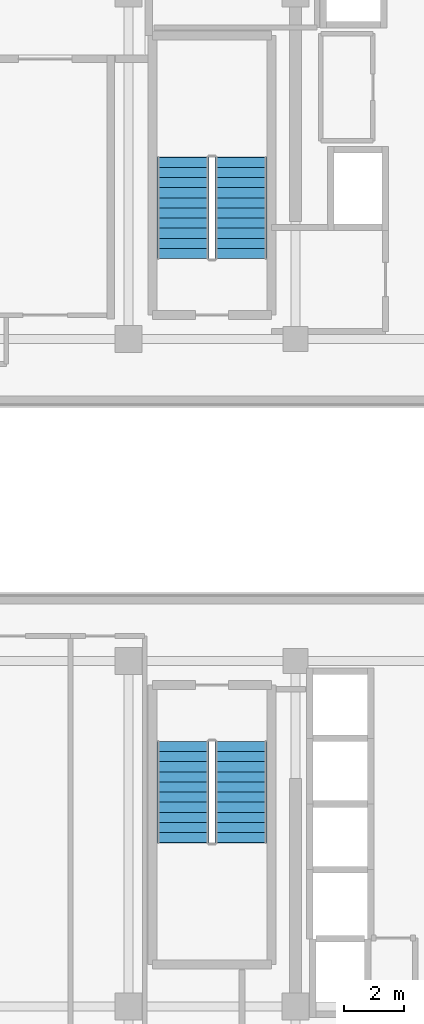
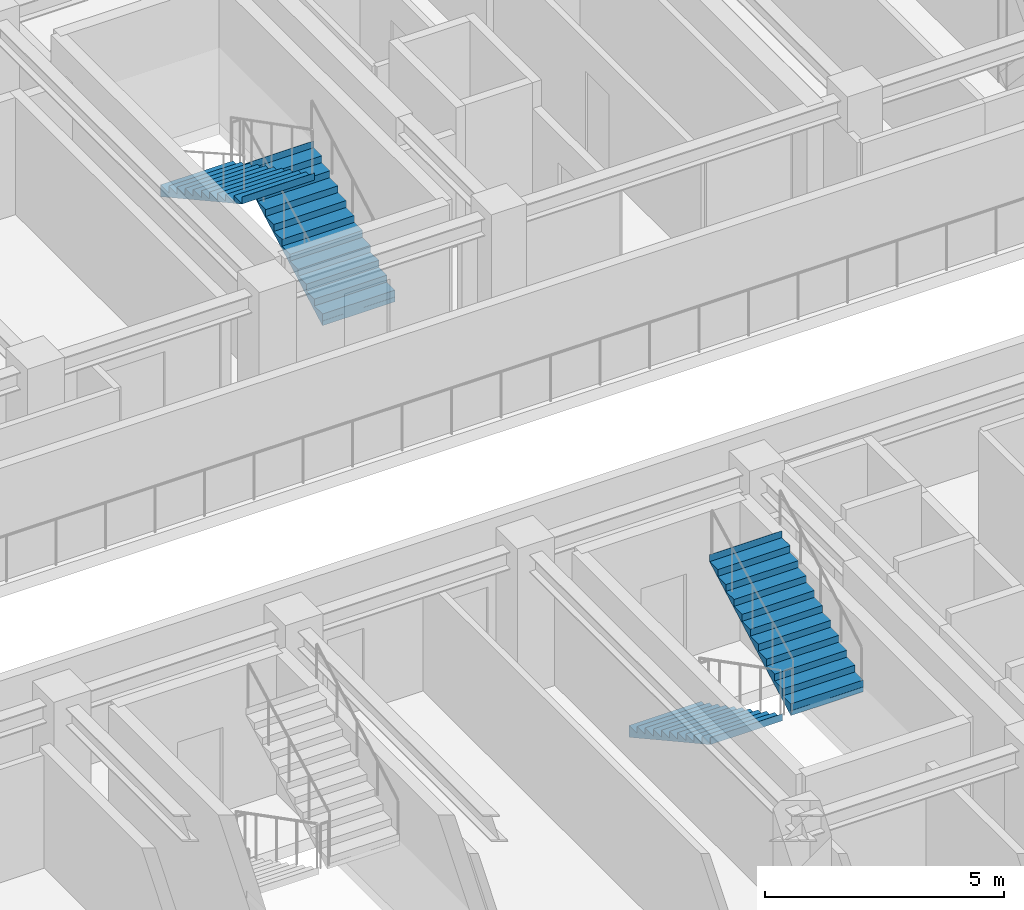
# One storey, part 8 of 14: 4 stair flights, 2 elements without a shape of their own.
"""IFC4 building model written with IfcOpenShell, lengths in metres."""

from ifc_helpers import new_model, si_unit, direction, frame, origin, place, context, subcontext, project, spatial, polyline, outline, extrude, source, transform, mapped, material, layer, layer_set, type_object, element, aggregate, save


model = new_model("IFC4")

# Units and contexts
model_context = context("Model", 3, precision=1e-05, world=origin(), true_north=direction((0.0, 1.0)))
body_context = subcontext(model_context, "Body", "Model", "MODEL_VIEW")
ifc_project = project(units=[si_unit("LENGTHUNIT", "METRE"), si_unit("AREAUNIT", "SQUARE_METRE"), si_unit("VOLUMEUNIT", "CUBIC_METRE"), si_unit("PLANEANGLEUNIT", "RADIAN"), si_unit("MASSUNIT", "GRAM", prefix="KILO")], contexts=[model_context])

# Site, building, storey
site_placement = place(None, origin())
site = spatial("IfcSite", under=ifc_project, at=site_placement, CompositionType="ELEMENT")
building_placement = place(site_placement, origin())
building = spatial("IfcBuilding", under=site, at=building_placement, Name="Nahalor Promenade Grand Hotel", CompositionType="ELEMENT")
storey_placement = place(building_placement, frame((0.0, 0.0, 296.5)))
storey = spatial("IfcBuildingStorey", under=building, at=storey_placement, Name="L76", CompositionType="ELEMENT", Elevation=296.5)

# Stair, stair flights
ifc_material = material(Name="Concrete B-50 (C40/50)", Category="concrete")
stair_type_1 = type_object("IfcStairType", Name="Stair-ST1", PredefinedType="HALF_TURN_STAIR", material=ifc_material)
stair_1_placement = place(storey_placement, origin())
stair_1 = element("IfcStair", 1, at=stair_1_placement, inside=storey, type_object=stair_type_1, Name="L76 ST1", PredefinedType="HALF_TURN_STAIR")
ifc_layer_1 = layer(ifc_material, 0.179931640625)
ifc_layer_set_1 = layer_set([ifc_layer_1], Name="Concrete B-50 (C40/50)")
stair_flight_type_1 = type_object("IfcStairFlightType", Name="Flight-ST1", PredefinedType="STRAIGHT", material=ifc_layer_set_1)
shared_shape_1 = source(origin(), body_context, "Body", "SweptSolid", [
    extrude(outline(polyline([(-0.00390625, -0.1201171875), (-0.00390625, 0.0), (0.0, 0.0), (0.0, 0.175048828125), (0.340087890625, 0.175048828125), (0.340087890625, 0.35009765625), (0.679931640625, 0.35009765625), (0.679931640625, 0.52490234375), (1.02001953125, 0.52490234375), (1.02001953125, 0.699951171875), (1.360107421875, 0.699951171875), (1.360107421875, 0.875), (1.699951171875, 0.875), (1.699951171875, 1.050048828125), (2.0400390625, 1.050048828125), (2.0400390625, 1.22509765625), (2.3798828125, 1.22509765625), (2.3798828125, 1.39990234375), (2.719970703125, 1.39990234375), (2.719970703125, 1.574951171875), (3.06005859375, 1.574951171875), (3.06005859375, 1.75), (3.39990234375, 1.75), (3.39990234375, 1.925048828125), (3.404052734375, 1.925048828125), (3.404052734375, 1.7451171875), (0.02001953125, -0.1201171875), (-0.00390625, -0.1201171875)])), frame((0.0, 0.875, 0.0), z_axis=(0.0, -1.0, 0.0), x_axis=(1.0, 0.0, 0.0)), (0.0, 0.0, 1.0), 1.75),
])
stair_flight_1_placement = place(storey_placement, frame((6.574951171875, 8.10009765625, 0.0), z_axis=(0.0, 0.0, 1.0), x_axis=(0.0, 1.0, 0.0)))
stair_flight_1 = element("IfcStairFlight", 2, at=stair_flight_1_placement, type_object=stair_flight_type_1, Name="ST1 flight 1", NumberOfRisers=11, NumberOfTreads=10, PredefinedType="STRAIGHT", RiserHeight=0.175, TreadLength=0.34, context=body_context, shape_type="MappedRepresentation", body=[
    mapped(shared_shape_1, transform((0.0, 0.0, 0.0), scale=1.0)),
])
stair_flight_2_placement = place(storey_placement, frame((4.625, 11.5, 1.925048828125), z_axis=(0.0, 0.0, 1.0), x_axis=(0.0, -1.0, 0.0)))
stair_flight_2 = element("IfcStairFlight", 3, at=stair_flight_2_placement, type_object=stair_flight_type_1, Name="ST1 flight 2", NumberOfRisers=11, NumberOfTreads=10, PredefinedType="STRAIGHT", RiserHeight=0.175, TreadLength=0.34, context=body_context, shape_type="MappedRepresentation", body=[
    mapped(shared_shape_1, transform((0.0, 0.0, 0.0), scale=1.0)),
])
aggregate(stair_1, [stair_flight_1, stair_flight_2])

stair_type_2 = type_object("IfcStairType", Name="Stair-ST2", PredefinedType="HALF_TURN_STAIR", material=ifc_material)
stair_2_placement = place(storey_placement, origin())
stair_2 = element("IfcStair", 4, at=stair_2_placement, inside=storey, type_object=stair_type_2, Name="L76 ST2", PredefinedType="HALF_TURN_STAIR")
ifc_layer_2 = layer(ifc_material, 0.18994140625)
ifc_layer_set_2 = layer_set([ifc_layer_2], Name="Concrete B-50 (C40/50)")
stair_flight_type_2 = type_object("IfcStairFlightType", Name="Flight-ST2", PredefinedType="STRAIGHT", material=ifc_layer_set_2)
shared_shape_2 = source(origin(), body_context, "Body", "SweptSolid", [
    extrude(outline(polyline([(-0.00390625, -0.1201171875), (-0.00390625, 0.0), (0.0, 0.0), (0.0, 0.175048828125), (0.340087890625, 0.175048828125), (0.340087890625, 0.35009765625), (0.679931640625, 0.35009765625), (0.679931640625, 0.52490234375), (1.02001953125, 0.52490234375), (1.02001953125, 0.699951171875), (1.360107421875, 0.699951171875), (1.360107421875, 0.875), (1.699951171875, 0.875), (1.699951171875, 1.050048828125), (2.0400390625, 1.050048828125), (2.0400390625, 1.22509765625), (2.3798828125, 1.22509765625), (2.3798828125, 1.39990234375), (2.719970703125, 1.39990234375), (2.719970703125, 1.574951171875), (3.06005859375, 1.574951171875), (3.06005859375, 1.75), (3.39990234375, 1.75), (3.39990234375, 1.925048828125), (3.404052734375, 1.925048828125), (3.404052734375, 1.7451171875), (0.02001953125, -0.1201171875), (-0.00390625, -0.1201171875)])), frame((0.0, 0.875, 0.0), z_axis=(0.0, -1.0, 0.0), x_axis=(1.0, 0.0, 0.0)), (0.0, 0.0, 1.0), 1.75),
])
stair_flight_3_placement = place(storey_placement, frame((4.625, -8.10009765625, 0.0), z_axis=(0.0, 0.0, 1.0), x_axis=(0.0, -1.0, 0.0)))
stair_flight_3 = element("IfcStairFlight", 5, at=stair_flight_3_placement, type_object=stair_flight_type_2, Name="ST2 flight 1", NumberOfRisers=11, NumberOfTreads=10, PredefinedType="STRAIGHT", RiserHeight=0.175, TreadLength=0.34, context=body_context, shape_type="MappedRepresentation", body=[
    mapped(shared_shape_2, transform((0.0, 0.0, 0.0), scale=1.0)),
])
stair_flight_4_placement = place(storey_placement, frame((6.574951171875, -11.5, 1.925048828125), z_axis=(0.0, 0.0, 1.0), x_axis=(0.0, 1.0, 0.0)))
stair_flight_4 = element("IfcStairFlight", 6, at=stair_flight_4_placement, type_object=stair_flight_type_2, Name="ST2 flight 2", NumberOfRisers=11, NumberOfTreads=10, PredefinedType="STRAIGHT", RiserHeight=0.175, TreadLength=0.34, context=body_context, shape_type="MappedRepresentation", body=[
    mapped(shared_shape_2, transform((0.0, 0.0, 0.0), scale=1.0)),
])
aggregate(stair_2, [stair_flight_3, stair_flight_4])

save(model, "model.ifc")
